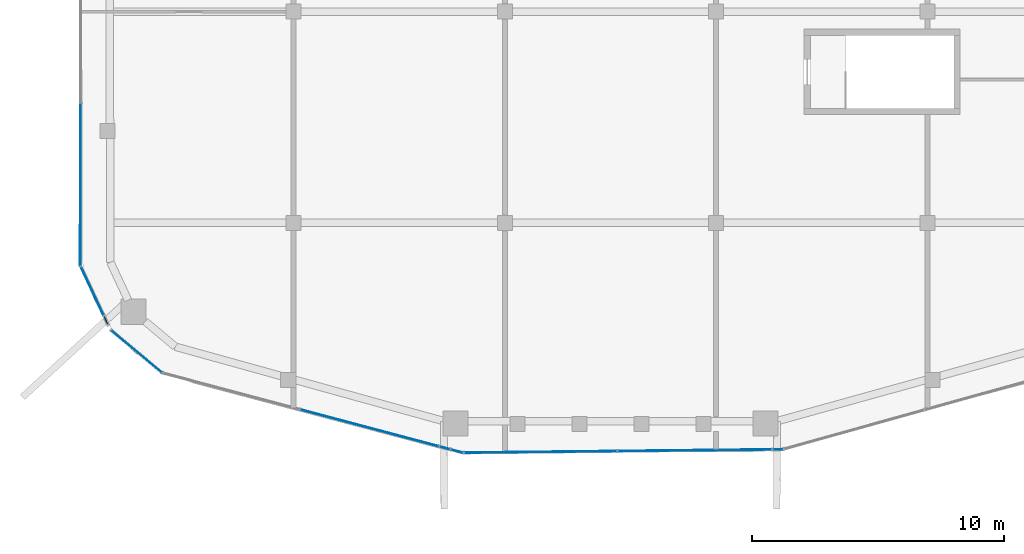
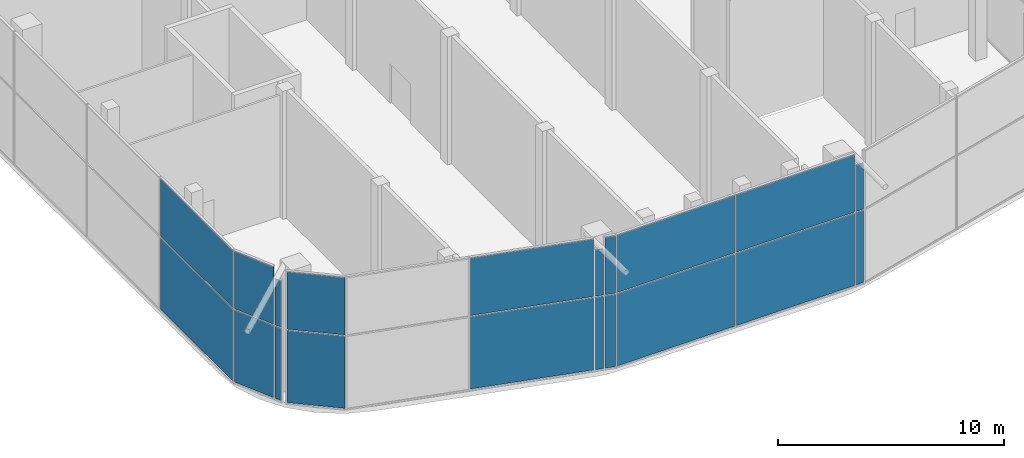
# One storey, part 13 of 23: 20 plates, 9 elements without a shape of their own.
"""IFC4 building model written with IfcOpenShell, lengths in metres."""

from ifc_helpers import new_model, si_unit, direction, frame, origin, origin_2d, place, context, subcontext, project, spatial, rectangle, extrude, material, layer, layer_set, type_object, element, aggregate, save


model = new_model("IFC4")

# Units and contexts
model_context = context("Model", 3, precision=1e-05, world=origin(), true_north=direction((0.0, 1.0)))
body_context = subcontext(model_context, "Body", "Model", "MODEL_VIEW")
ifc_project = project(units=[si_unit("LENGTHUNIT", "METRE"), si_unit("AREAUNIT", "SQUARE_METRE"), si_unit("VOLUMEUNIT", "CUBIC_METRE"), si_unit("PLANEANGLEUNIT", "RADIAN"), si_unit("MASSUNIT", "GRAM", prefix="KILO")], contexts=[model_context])

# Site, building, storey
site_placement = place(None, origin())
site = spatial("IfcSite", under=ifc_project, at=site_placement, CompositionType="ELEMENT")
building_placement = place(site_placement, origin())
building = spatial("IfcBuilding", under=site, at=building_placement, Name="Marenta Gate Hotel Tower", CompositionType="ELEMENT")
storey_placement = place(building_placement, frame((0.0, 0.0, 288.5)))
storey = spatial("IfcBuildingStorey", under=building, at=storey_placement, Name="L66", CompositionType="ELEMENT", Elevation=288.5)

# Curtain wall, plates
ifc_material_1 = material(Name="Tinted insulated glass in bronze anodised frame", Category="glass")
ifc_layer_1 = layer(ifc_material_1, 0.1201171875)
ifc_layer_set_1 = layer_set([ifc_layer_1], Name="Tinted insulated glass in bronze anodised frame")
curtain_wall_type = type_object("IfcCurtainWallType", Name="Sky restaurant glazing CW4", PredefinedType="NOTDEFINED", material=ifc_layer_set_1)
curtain_wall_1_placement = place(storey_placement, origin())
curtain_wall_1 = element("IfcCurtainWall", 1, at=curtain_wall_1_placement, inside=storey, type_object=curtain_wall_type, Name="CW4 run G05", PredefinedType="NOTDEFINED")
ifc_material_2 = material(Name="Tinted insulated glass", Category="glass")
ifc_layer_2 = layer(ifc_material_2, 0.030029296875)
ifc_layer_set_2 = layer_set([ifc_layer_2], Name="Tinted insulated glass")
plate_type = type_object("IfcPlateType", Name="Glass panel CW4 30 mm tinted insulated unit", PredefinedType="CURTAIN_PANEL", material=ifc_layer_set_2)
plate_1_placement = place(storey_placement, frame((-21.068115234375, -23.681396484375, 0.070068359375), z_axis=(0.0, 0.0, 1.0), x_axis=(-0.001566045546, -0.99999877375, 0.0)))
plate_1 = element("IfcPlate", 2, at=plate_1_placement, type_object=plate_type, Name="CW4 panel 6.1", PredefinedType="CURTAIN_PANEL", context=body_context, shape_type="SweptSolid", body=[
    extrude(rectangle(XDim=6.425048828125, YDim=0.030029296875, at=origin_2d()), origin(), (0.0, 0.0, 1.0), 3.89501953125),
])
plate_2_placement = place(storey_placement, frame((-21.068115234375, -23.681396484375, 4.03515625), z_axis=(0.0, 0.0, 1.0), x_axis=(-0.001566045546, -0.99999877375, 0.0)))
plate_2 = element("IfcPlate", 3, at=plate_2_placement, type_object=plate_type, Name="CW4 panel 6.2", PredefinedType="CURTAIN_PANEL", context=body_context, shape_type="SweptSolid", body=[
    extrude(rectangle(XDim=6.425048828125, YDim=0.030029296875, at=origin_2d()), origin(), (0.0, 0.0, 1.0), 3.094970703125),
])
aggregate(curtain_wall_1, [plate_1, plate_2])

curtain_wall_2_placement = place(storey_placement, origin())
curtain_wall_2 = element("IfcCurtainWall", 4, at=curtain_wall_2_placement, inside=storey, type_object=curtain_wall_type, Name="CW4 run G06", PredefinedType="NOTDEFINED")
plate_3_placement = place(storey_placement, frame((-20.598388671875, -27.909423828125, 0.070068359375), z_axis=(0.0, 0.0, 1.0), x_axis=(0.423339043172, -0.905971332066, 0.0)))
plate_3 = element("IfcPlate", 5, at=plate_3_placement, type_object=plate_type, Name="CW4 panel 1.1", PredefinedType="CURTAIN_PANEL", context=body_context, shape_type="SweptSolid", body=[
    extrude(rectangle(XDim=2.102294921875, YDim=0.030029296875, at=origin_2d()), origin(), (0.0, 0.0, 1.0), 3.89501953125),
])
plate_4_placement = place(storey_placement, frame((-20.598388671875, -27.909423828125, 4.03515625), z_axis=(0.0, 0.0, 1.0), x_axis=(0.423339043172, -0.905971332066, 0.0)))
plate_4 = element("IfcPlate", 6, at=plate_4_placement, type_object=plate_type, Name="CW4 panel 1.2", PredefinedType="CURTAIN_PANEL", context=body_context, shape_type="SweptSolid", body=[
    extrude(rectangle(XDim=2.102294921875, YDim=0.030029296875, at=origin_2d()), origin(), (0.0, 0.0, 1.0), 3.094970703125),
])
aggregate(curtain_wall_2, [plate_3, plate_4])

curtain_wall_3_placement = place(storey_placement, origin())
curtain_wall_3 = element("IfcCurtainWall", 7, at=curtain_wall_3_placement, inside=storey, type_object=curtain_wall_type, Name="CW4 run G07", PredefinedType="NOTDEFINED")
plate_5_placement = place(storey_placement, frame((-20.052734375, -29.076904296875, 0.070068359375), z_axis=(0.0, 0.0, 1.0), x_axis=(0.423392535174, -0.905946334591, 0.0)))
plate_5 = element("IfcPlate", 8, at=plate_5_placement, type_object=plate_type, Name="CW4 panel 1.1", PredefinedType="CURTAIN_PANEL", context=body_context, shape_type="SweptSolid", body=[
    extrude(rectangle(XDim=0.3349609375, YDim=0.030029296875, at=origin_2d()), origin(), (0.0, 0.0, 1.0), 3.89501953125),
])
plate_6_placement = place(storey_placement, frame((-20.052734375, -29.076904296875, 4.034912109375), z_axis=(0.0, 0.0, 1.0), x_axis=(0.423392535174, -0.905946334591, 0.0)))
plate_6 = element("IfcPlate", 9, at=plate_6_placement, type_object=plate_type, Name="CW4 panel 1.2", PredefinedType="CURTAIN_PANEL", context=body_context, shape_type="SweptSolid", body=[
    extrude(rectangle(XDim=0.3349609375, YDim=0.030029296875, at=origin_2d()), origin(), (0.0, 0.0, 1.0), 2.49560546875),
])
aggregate(curtain_wall_3, [plate_5, plate_6])

curtain_wall_4_placement = place(storey_placement, origin())
curtain_wall_4 = element("IfcCurtainWall", 10, at=curtain_wall_4_placement, inside=storey, type_object=curtain_wall_type, Name="CW4 run G08", PredefinedType="NOTDEFINED")
plate_7_placement = place(storey_placement, frame((-18.832275390625, -30.3193359375, 0.070068359375), z_axis=(0.0, 0.0, 1.0), x_axis=(0.767102345594, -0.641524739495, 0.0)))
plate_7 = element("IfcPlate", 11, at=plate_7_placement, type_object=plate_type, Name="CW4 panel 1.1", PredefinedType="CURTAIN_PANEL", context=body_context, shape_type="SweptSolid", body=[
    extrude(rectangle(XDim=2.599365234375, YDim=0.030029296875, at=origin_2d()), origin(), (0.0, 0.0, 1.0), 3.89501953125),
])
plate_8_placement = place(storey_placement, frame((-18.832275390625, -30.3193359375, 4.03515625), z_axis=(0.0, 0.0, 1.0), x_axis=(0.767102345594, -0.641524739495, 0.0)))
plate_8 = element("IfcPlate", 12, at=plate_8_placement, type_object=plate_type, Name="CW4 panel 1.2", PredefinedType="CURTAIN_PANEL", context=body_context, shape_type="SweptSolid", body=[
    extrude(rectangle(XDim=2.599365234375, YDim=0.030029296875, at=origin_2d()), origin(), (0.0, 0.0, 1.0), 3.094970703125),
])
aggregate(curtain_wall_4, [plate_7, plate_8])

curtain_wall_5_placement = place(storey_placement, origin())
curtain_wall_5 = element("IfcCurtainWall", 13, at=curtain_wall_5_placement, inside=storey, type_object=curtain_wall_type, Name="CW4 run G09", PredefinedType="NOTDEFINED")
plate_9_placement = place(storey_placement, frame((-9.57861328125, -33.35009765625, 0.070068359375), z_axis=(0.0, 0.0, 1.0), x_axis=(0.966375096034, -0.257136488591, 0.0)))
plate_9 = element("IfcPlate", 14, at=plate_9_placement, type_object=plate_type, Name="CW4 panel 2.1", PredefinedType="CURTAIN_PANEL", context=body_context, shape_type="SweptSolid", body=[
    extrude(rectangle(XDim=5.6494140625, YDim=0.030029296875, at=origin_2d()), origin(), (0.0, 0.0, 1.0), 3.89501953125),
])
plate_10_placement = place(storey_placement, frame((-9.57861328125, -33.35009765625, 4.03515625), z_axis=(0.0, 0.0, 1.0), x_axis=(0.966375096034, -0.257136488591, 0.0)))
plate_10 = element("IfcPlate", 15, at=plate_10_placement, type_object=plate_type, Name="CW4 panel 2.2", PredefinedType="CURTAIN_PANEL", context=body_context, shape_type="SweptSolid", body=[
    extrude(rectangle(XDim=5.6494140625, YDim=0.030029296875, at=origin_2d()), origin(), (0.0, 0.0, 1.0), 3.094970703125),
])
aggregate(curtain_wall_5, [plate_9, plate_10])

curtain_wall_6_placement = place(storey_placement, origin())
curtain_wall_6 = element("IfcCurtainWall", 16, at=curtain_wall_6_placement, inside=storey, type_object=curtain_wall_type, Name="CW4 run G10", PredefinedType="NOTDEFINED")
plate_11_placement = place(storey_placement, frame((-6.588134765625, -34.145751953125, 0.070068359375), z_axis=(0.0, 0.0, 1.0), x_axis=(0.966386788942, -0.257092540066, 0.0)))
plate_11 = element("IfcPlate", 17, at=plate_11_placement, type_object=plate_type, Name="CW4 panel 1.1", PredefinedType="CURTAIN_PANEL", context=body_context, shape_type="SweptSolid", body=[
    extrude(rectangle(XDim=0.3994140625, YDim=0.030029296875, at=origin_2d()), origin(), (0.0, 0.0, 1.0), 3.89501953125),
])
plate_12_placement = place(storey_placement, frame((-6.588134765625, -34.145751953125, 4.034912109375), z_axis=(0.0, 0.0, 1.0), x_axis=(0.966386788942, -0.257092540066, 0.0)))
plate_12 = element("IfcPlate", 18, at=plate_12_placement, type_object=plate_type, Name="CW4 panel 1.2", PredefinedType="CURTAIN_PANEL", context=body_context, shape_type="SweptSolid", body=[
    extrude(rectangle(XDim=0.3994140625, YDim=0.030029296875, at=origin_2d()), origin(), (0.0, 0.0, 1.0), 2.49560546875),
])
aggregate(curtain_wall_6, [plate_11, plate_12])

curtain_wall_7_placement = place(storey_placement, origin())
curtain_wall_7 = element("IfcCurtainWall", 19, at=curtain_wall_7_placement, inside=storey, type_object=curtain_wall_type, Name="CW4 run G11", PredefinedType="NOTDEFINED")
plate_13_placement = place(storey_placement, frame((-6.096923828125, -34.2763671875, 0.070068359375), z_axis=(0.0, 0.0, 1.0), x_axis=(0.966389430413, -0.257082610818, 0.0)))
plate_13 = element("IfcPlate", 20, at=plate_13_placement, type_object=plate_type, Name="CW4 panel 1.1", PredefinedType="CURTAIN_PANEL", context=body_context, shape_type="SweptSolid", body=[
    extrude(rectangle(XDim=0.477294921875, YDim=0.030029296875, at=origin_2d()), origin(), (0.0, 0.0, 1.0), 3.89501953125),
])
plate_14_placement = place(storey_placement, frame((-6.096923828125, -34.2763671875, 4.03515625), z_axis=(0.0, 0.0, 1.0), x_axis=(0.966389430413, -0.257082610818, 0.0)))
plate_14 = element("IfcPlate", 21, at=plate_14_placement, type_object=plate_type, Name="CW4 panel 1.2", PredefinedType="CURTAIN_PANEL", context=body_context, shape_type="SweptSolid", body=[
    extrude(rectangle(XDim=0.477294921875, YDim=0.030029296875, at=origin_2d()), origin(), (0.0, 0.0, 1.0), 3.094970703125),
])
aggregate(curtain_wall_7, [plate_13, plate_14])

curtain_wall_8_placement = place(storey_placement, origin())
curtain_wall_8 = element("IfcCurtainWall", 22, at=curtain_wall_8_placement, inside=storey, type_object=curtain_wall_type, Name="CW4 run G12", PredefinedType="NOTDEFINED")
plate_15_placement = place(storey_placement, frame((-2.783447265625, -34.304931640625, 0.070068359375), z_axis=(0.0, 0.0, 1.0), x_axis=(0.999943454097, 0.010634312796, 0.0)))
plate_15 = element("IfcPlate", 23, at=plate_15_placement, type_object=plate_type, Name="CW4 panel 1.1", PredefinedType="CURTAIN_PANEL", context=body_context, shape_type="SweptSolid", body=[
    extrude(rectangle(XDim=6.026123046875, YDim=0.030029296875, at=origin_2d()), origin(), (0.0, 0.0, 1.0), 3.89501953125),
])
plate_16_placement = place(storey_placement, frame((-2.783447265625, -34.304931640625, 4.03515625), z_axis=(0.0, 0.0, 1.0), x_axis=(0.999943454097, 0.010634312796, 0.0)))
plate_16 = element("IfcPlate", 24, at=plate_16_placement, type_object=plate_type, Name="CW4 panel 1.2", PredefinedType="CURTAIN_PANEL", context=body_context, shape_type="SweptSolid", body=[
    extrude(rectangle(XDim=6.026123046875, YDim=0.030029296875, at=origin_2d()), origin(), (0.0, 0.0, 1.0), 3.094970703125),
])
plate_17_placement = place(storey_placement, frame((3.347412109375, -34.23974609375, 0.070068359375), z_axis=(0.0, 0.0, 1.0), x_axis=(0.999943454097, 0.010634312796, 0.0)))
plate_17 = element("IfcPlate", 25, at=plate_17_placement, type_object=plate_type, Name="CW4 panel 2.1", PredefinedType="CURTAIN_PANEL", context=body_context, shape_type="SweptSolid", body=[
    extrude(rectangle(XDim=6.09619140625, YDim=0.030029296875, at=origin_2d()), origin(), (0.0, 0.0, 1.0), 3.89501953125),
])
plate_18_placement = place(storey_placement, frame((3.347412109375, -34.23974609375, 4.03515625), z_axis=(0.0, 0.0, 1.0), x_axis=(0.999943454097, 0.010634312796, 0.0)))
plate_18 = element("IfcPlate", 26, at=plate_18_placement, type_object=plate_type, Name="CW4 panel 2.2", PredefinedType="CURTAIN_PANEL", context=body_context, shape_type="SweptSolid", body=[
    extrude(rectangle(XDim=6.09619140625, YDim=0.030029296875, at=origin_2d()), origin(), (0.0, 0.0, 1.0), 3.094970703125),
])
aggregate(curtain_wall_8, [plate_15, plate_16, plate_17, plate_18])

curtain_wall_9_placement = place(storey_placement, origin())
curtain_wall_9 = element("IfcCurtainWall", 27, at=curtain_wall_9_placement, inside=storey, type_object=curtain_wall_type, Name="CW4 run G13", PredefinedType="NOTDEFINED")
plate_19_placement = place(storey_placement, frame((6.656982421875, -34.20458984375, 0.070068359375), z_axis=(0.0, 0.0, 1.0), x_axis=(0.999943469301, 0.010632883051, 0.0)))
plate_19 = element("IfcPlate", 28, at=plate_19_placement, type_object=plate_type, Name="CW4 panel 1.1", PredefinedType="CURTAIN_PANEL", context=body_context, shape_type="SweptSolid", body=[
    extrude(rectangle(XDim=0.383544921875, YDim=0.030029296875, at=origin_2d()), origin(), (0.0, 0.0, 1.0), 3.89501953125),
])
plate_20_placement = place(storey_placement, frame((6.656982421875, -34.20458984375, 4.034912109375), z_axis=(0.0, 0.0, 1.0), x_axis=(0.999943469301, 0.010632883051, 0.0)))
plate_20 = element("IfcPlate", 29, at=plate_20_placement, type_object=plate_type, Name="CW4 panel 1.2", PredefinedType="CURTAIN_PANEL", context=body_context, shape_type="SweptSolid", body=[
    extrude(rectangle(XDim=0.383544921875, YDim=0.030029296875, at=origin_2d()), origin(), (0.0, 0.0, 1.0), 2.49560546875),
])
aggregate(curtain_wall_9, [plate_19, plate_20])

save(model, "model.ifc")
